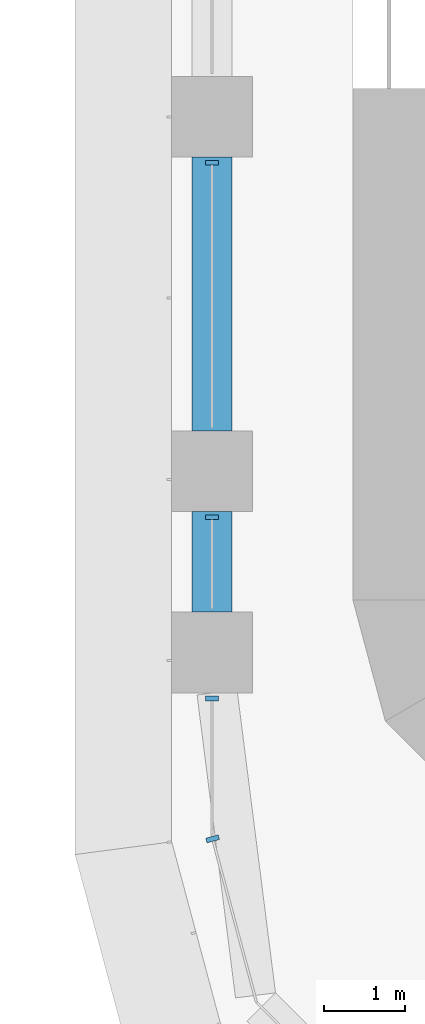
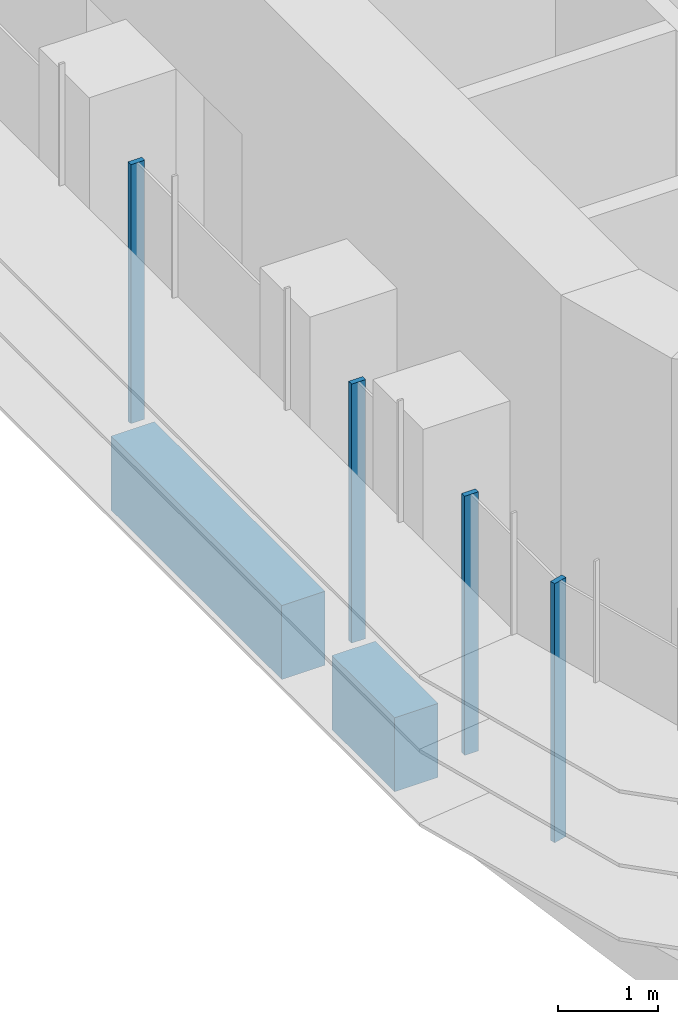
# One storey, part 2 of 23: 4 members, 2 beams, 2 elements without a shape of their own.
"""IFC4 building model written with IfcOpenShell, lengths in metres."""

import ifcopenshell
import ifcopenshell.guid

model = None  # the IFC model being written
_history = None  # IfcOwnerHistory: only IFC2X3 demands one
_inside = {}  # id of a spatial element -> (the spatial element, [elements in it])
_under = {}  # id of a project, library or spatial element -> (it, [spatial elements below it])
_declared = {}  # id of a project -> (the project, [libraries it declares])
_typed = {}  # id of a type object -> (the type object, [elements of that type])
_made_of = {}  # id of a material, layer set ... -> (it, [elements and type objects made of it])


def new_model(schema):
    """Start an empty IFC model of exactly this schema.

    Asked for "IFC4X3", IfcOpenShell would pick the latest addendum, in which some entities
    have other attributes; the version numbers below select the first issue.
    IFC2X3 requires an IfcOwnerHistory on every rooted entity: one is made here for all.
    """
    global model, _history
    if schema == "IFC4X3":
        model = ifcopenshell.file(schema_version=(4, 3, 0, 0))
    else:
        model = ifcopenshell.file(schema=schema)
    _inside.clear()
    _under.clear()
    _declared.clear()
    _typed.clear()
    _made_of.clear()
    _history = None
    if model.schema == "IFC2X3":
        org = make("IfcOrganization", Name="unknown")
        user = make(
            "IfcPersonAndOrganization",
            ThePerson=make("IfcPerson", FamilyName="unknown"),
            TheOrganization=org,
        )
        app = make(
            "IfcApplication",
            ApplicationDeveloper=org,
            Version="unknown",
            ApplicationFullName="unknown",
            ApplicationIdentifier="unknown",
        )
        _history = make(
            "IfcOwnerHistory",
            OwningUser=user,
            OwningApplication=app,
            ChangeAction="ADDED",
            CreationDate=0,
        )
    return model


def make(cls, **values):
    """One entity of the class cls with the attributes given. An attribute that is None is left unset."""
    return model.create_entity(
        cls, **{name: value for name, value in values.items() if value is not None}
    )


def rooted(cls, **values):
    """An entity with a GlobalId (a new one), such as an element, a storey or a relation."""
    return make(cls, GlobalId=ifcopenshell.guid.new(), OwnerHistory=_history, **values)


def si_unit(unit_type, name, prefix=None):
    """IfcSIUnit, for example si_unit("LENGTHUNIT", "METRE", prefix="MILLI")."""
    return make("IfcSIUnit", UnitType=unit_type, Prefix=prefix, Name=name)


def assignment(units):
    """IfcUnitAssignment: the units of a project."""
    return None if units is None else make("IfcUnitAssignment", Units=units)


def point(xyz):
    """IfcCartesianPoint."""
    return None if xyz is None else make("IfcCartesianPoint", Coordinates=xyz)


def direction(xyz):
    """IfcDirection."""
    return None if xyz is None else make("IfcDirection", DirectionRatios=xyz)


def frame(location, z_axis=None, x_axis=None):
    """IfcAxis2Placement3D, a coordinate frame: its origin and axes. An axis left out is left unset."""
    return make(
        "IfcAxis2Placement3D",
        Location=point(location),
        Axis=direction(z_axis),
        RefDirection=direction(x_axis),
    )


def frame_2d(location, x_axis=None):
    """IfcAxis2Placement2D, a coordinate frame in the plane: its origin and x axis."""
    return make(
        "IfcAxis2Placement2D", Location=point(location), RefDirection=direction(x_axis)
    )


def origin():
    """The frame at (0, 0, 0) with its axes left unset."""
    return frame((0.0, 0.0, 0.0))


def origin_2d():
    """The frame at (0, 0) in the plane with its x axis left unset."""
    return frame_2d((0.0, 0.0))


def place(relative_to, where):
    """IfcLocalPlacement: puts the frame where relative to a parent placement (None: the world)."""
    return make(
        "IfcLocalPlacement", PlacementRelTo=relative_to, RelativePlacement=where
    )


def context(
    kind, dimensions, precision=None, world=None, true_north=None, identifier=None
):
    """IfcGeometricRepresentationContext, for example the 3D "Model" context."""
    return make(
        "IfcGeometricRepresentationContext",
        ContextIdentifier=identifier,
        ContextType=kind,
        CoordinateSpaceDimension=dimensions,
        Precision=precision,
        WorldCoordinateSystem=world,
        TrueNorth=true_north,
    )


def subcontext(parent, identifier, kind, view, scale=None):
    """IfcGeometricRepresentationSubContext, for example "Body" below "Model"."""
    return make(
        "IfcGeometricRepresentationSubContext",
        ContextIdentifier=identifier,
        ContextType=kind,
        ParentContext=parent,
        TargetScale=scale,
        TargetView=view,
    )


def project(units=None, contexts=None):
    """IfcProject with its units and contexts."""
    return rooted(
        "IfcProject",
        Name="project",
        RepresentationContexts=contexts,
        UnitsInContext=assignment(units),
    )


def spatial(cls, under=None, at=None, **own):
    """A site, building, storey or space (cls), placed at a placement, below another one or the project."""
    s = rooted(cls, ObjectPlacement=at, **own)
    if under is not None:
        _under.setdefault(under.id(), (under, []))[1].append(s)
    return s


def polyline(points):
    """IfcPolyline through the points."""
    return make("IfcPolyline", Points=[point(p) for p in points])


def profile(cls, at=None, kind="AREA", **sizes):
    """A parametric profile (cls). Its sizes go by their IFC names, for example OverallWidth=200.0."""
    return make(cls, ProfileType=kind, Position=at, **sizes)


def rectangle(**sizes):
    """IfcRectangleProfileDef."""
    return profile("IfcRectangleProfileDef", **sizes)


def outline(outer, holes=None, kind="AREA"):
    """IfcArbitraryClosedProfileDef: a profile drawn as a closed curve; with holes, ...WithVoids."""
    if holes is None:
        return make("IfcArbitraryClosedProfileDef", ProfileType=kind, OuterCurve=outer)
    return make(
        "IfcArbitraryProfileDefWithVoids",
        ProfileType=kind,
        OuterCurve=outer,
        InnerCurves=holes,
    )


def extrude(swept, where, along, depth):
    """IfcExtrudedAreaSolid: the profile swept, set in the frame where, extruded along a direction by depth."""
    return make(
        "IfcExtrudedAreaSolid",
        SweptArea=swept,
        Position=where,
        ExtrudedDirection=direction(along),
        Depth=depth,
    )


def shape(context_of_items, identifier, shape_type, items):
    """IfcShapeRepresentation: the items that make up one representation, for example the "Body"."""
    return make(
        "IfcShapeRepresentation",
        ContextOfItems=context_of_items,
        RepresentationIdentifier=identifier,
        RepresentationType=shape_type,
        Items=items,
    )


def source(mapping_origin, context_of_items, identifier, shape_type, items):
    """IfcRepresentationMap: a shape defined once, which mapped items show again and again."""
    return make(
        "IfcRepresentationMap",
        MappingOrigin=mapping_origin,
        MappedRepresentation=shape(context_of_items, identifier, shape_type, items),
    )


def transform(
    local_origin,
    x_axis=None,
    y_axis=None,
    z_axis=None,
    scale=None,
    scale2=None,
    scale3=None,
    uniform=True,
):
    """IfcCartesianTransformationOperator3D, or its non-uniform kind. x_axis, y_axis, z_axis: its Axis1, 2, 3."""
    if uniform:
        return make(
            "IfcCartesianTransformationOperator3D",
            Axis1=direction(x_axis),
            Axis2=direction(y_axis),
            LocalOrigin=point(local_origin),
            Scale=scale,
            Axis3=direction(z_axis),
        )
    return make(
        "IfcCartesianTransformationOperator3DnonUniform",
        Axis1=direction(x_axis),
        Axis2=direction(y_axis),
        LocalOrigin=point(local_origin),
        Scale=scale,
        Axis3=direction(z_axis),
        Scale2=scale2,
        Scale3=scale3,
    )


def mapped(mapping_source, mapping_target):
    """IfcMappedItem: shows the shape of a source again, moved by a transform."""
    return make(
        "IfcMappedItem", MappingSource=mapping_source, MappingTarget=mapping_target
    )


def material(Name=None, Category=None):
    """IfcMaterial."""
    return make("IfcMaterial", Name=Name, Category=Category)


def material_profile(
    of_material, cross_section, Name=None, Category=None, Priority=None
):
    """IfcMaterialProfile: a cross section and its material."""
    return make(
        "IfcMaterialProfile",
        Name=Name,
        Material=of_material,
        Profile=cross_section,
        Priority=Priority,
        Category=Category,
    )


def profile_set(profiles, Name=None, composite=None):
    """IfcMaterialProfileSet."""
    return make(
        "IfcMaterialProfileSet",
        Name=Name,
        MaterialProfiles=profiles,
        CompositeProfile=composite,
    )


def made_of(thing, what):
    """Note that an element or type object is made of a material, layer set ...; save() writes the relation."""
    if what is not None:
        _made_of.setdefault(what.id(), (what, []))[1].append(thing)
    return thing


def type_object(cls, material=None, **own):
    """A type object (cls), such as IfcWallType, which elements share."""
    return made_of(rooted(cls, **own), material)


def element(
    cls,
    number,
    at=None,
    inside=None,
    cuts=None,
    type_object=None,
    material=None,
    context=None,
    identifier="Body",
    shape_type=None,
    held_by="IfcProductDefinitionShape",
    body=None,
    shapes=None,
    **own,
):
    """One element of the class cls, such as IfcWall. Its Tag is "e" and its number.

    at: its placement. inside: the storey or other place that contains it. cuts: it is an
    opening in that element (IfcRelVoidsElement). A single representation is given by context,
    identifier, shape_type and body (its items); several are given by shapes. held_by: the class
    of the entity that holds the representations. save() writes the other relations.
    """
    e = rooted(cls, Tag="e%d" % number, ObjectPlacement=at, **own)
    if body is not None:
        shapes = [shape(context, identifier, shape_type, body)]
    if shapes is not None:
        e.Representation = make(held_by, Representations=shapes)
    if inside is not None:
        _inside.setdefault(inside.id(), (inside, []))[1].append(e)
    if cuts is not None:
        rooted(
            "IfcRelVoidsElement", RelatingBuildingElement=cuts, RelatedOpeningElement=e
        )
    if type_object is not None:
        _typed.setdefault(type_object.id(), (type_object, []))[1].append(e)
    return made_of(e, material)


def aggregate(whole, parts):
    """IfcRelAggregates: a whole, such as a stair, and the parts it consists of."""
    return rooted("IfcRelAggregates", RelatingObject=whole, RelatedObjects=parts)


def save(model, path):
    """Write the relations noted so far, then the file.

    IfcRelAggregates (storeys below a building ...), IfcRelContainedInSpatialStructure (elements
    in a storey), IfcRelDefinesByType, IfcRelAssociatesMaterial and IfcRelDeclares: one each for
    every whole, place, type object, material and project.
    """
    for whole, parts in _under.values():
        aggregate(whole, parts)
    for where, things in _inside.values():
        rooted(
            "IfcRelContainedInSpatialStructure",
            RelatedElements=things,
            RelatingStructure=where,
        )
    for kind, things in _typed.values():
        rooted("IfcRelDefinesByType", RelatedObjects=things, RelatingType=kind)
    for what, things in _made_of.values():
        rooted("IfcRelAssociatesMaterial", RelatedObjects=things, RelatingMaterial=what)
    for by, libraries in _declared.values():
        rooted("IfcRelDeclares", RelatingContext=by, RelatedDefinitions=libraries)
    model.write(path)


model = new_model("IFC4")

# Units and contexts
model_context = context("Model", 3, precision=1e-05, world=origin(), true_north=direction((0.0, 1.0)))
body_context = subcontext(model_context, "Body", "Model", "MODEL_VIEW")
ifc_project = project(units=[si_unit("LENGTHUNIT", "METRE"), si_unit("AREAUNIT", "SQUARE_METRE"), si_unit("VOLUMEUNIT", "CUBIC_METRE"), si_unit("PLANEANGLEUNIT", "RADIAN"), si_unit("MASSUNIT", "GRAM", prefix="KILO")], contexts=[model_context])

# Site, building, storey
site_placement = place(None, origin())
site = spatial("IfcSite", under=ifc_project, at=site_placement, CompositionType="ELEMENT")
building_placement = place(site_placement, origin())
building = spatial("IfcBuilding", under=site, at=building_placement, Name="Zarbagh Exchange Tower", CompositionType="ELEMENT")
storey_placement = place(building_placement, frame((0.0, 0.0, 73.199951171875)))
storey = spatial("IfcBuildingStorey", under=building, at=storey_placement, Name="L16", CompositionType="ELEMENT", Elevation=73.199951171875)

# Beams
ifc_material_1 = material(Name="Concrete C60/75", Category="concrete")
ifc_material_profile = material_profile(ifc_material_1, rectangle(XDim=0.5, YDim=0.89990234375, at=origin_2d()), Name="RC spandrel beam 500 x 900 C60/75")
ifc_profile_set = profile_set([ifc_material_profile], Name="Concrete C60/75")
beam_type = type_object("IfcBeamType", Name="RC spandrel beam 500 x 900 C60/75", PredefinedType="SPANDREL", material=ifc_profile_set)
beam_1_placement = place(storey_placement, frame((-6.25, -26.39990234375, -0.599853515625), z_axis=(0.0, 1.0, 0.0), x_axis=(-1.0, 0.0, 0.0)))
element("IfcBeam", 1, at=beam_1_placement, inside=storey, type_object=beam_type, Name="RC spandrel beam", PredefinedType="SPANDREL", context=body_context, shape_type="SweptSolid", body=[
    extrude(rectangle(XDim=0.5, YDim=0.89990234375, at=origin_2d()), origin(), (0.0, 0.0, 1.0), 1.25),
])
beam_2_placement = place(storey_placement, frame((-6.25, -24.14990234375, -0.599853515625), z_axis=(0.0, 1.0, 0.0), x_axis=(-1.0, 0.0, 0.0)))
element("IfcBeam", 2, at=beam_2_placement, inside=storey, type_object=beam_type, Name="RC spandrel beam", PredefinedType="SPANDREL", context=body_context, shape_type="SweptSolid", body=[
    extrude(rectangle(XDim=0.5, YDim=0.89990234375, at=origin_2d()), origin(), (0.0, 0.0, 1.0), 3.39990234375),
])

# Curtain wall, members
ifc_material_2 = material(Name="Anodised aluminium frame and glazing", Category="aluminium")
curtain_wall_type = type_object("IfcCurtainWallType", Name="CWA Ribbon glazing, lower zones", PredefinedType="NOTDEFINED", material=ifc_material_2)
curtain_wall_1_placement = place(storey_placement, origin())
curtain_wall_1 = element("IfcCurtainWall", 3, at=curtain_wall_1_placement, inside=storey, type_object=curtain_wall_type, Name="CWA44 curtain wall", PredefinedType="NOTDEFINED")
ifc_material_3 = material(Name="Anodised aluminium frame", Category="aluminium")
member_type = type_object("IfcMemberType", Name="MUA Mullion, anodised aluminium frame", PredefinedType="MULLION", material=ifc_material_3)
shared_shape = source(origin(), body_context, "Body", "SweptSolid", [
    extrude(outline(polyline([(0.0, -0.080078125), (0.06005859375, -0.080078125), (0.06005859375, 0.080078125), (0.0, 0.080078125), (0.0, -0.080078125)])), origin(), (0.0, 0.0, 1.0), 3.14990234375),
])
placement = place(storey_placement, origin())
member_1 = element("IfcMember", 4, at=placement, type_object=member_type, Name="CWA44 mullion 3.1", PredefinedType="MULLION", context=body_context, shape_type="MappedRepresentation", body=[
    mapped(shared_shape, transform((-6.25, -20.7900390625, 0.0), x_axis=(0.0, -1.0, 0.0), y_axis=(1.0, 0.0, 0.0), z_axis=(0.0, 0.0, 1.0))),
])
member_2 = element("IfcMember", 5, at=placement, type_object=member_type, Name="CWA44 mullion 4.1", PredefinedType="MULLION", context=body_context, shape_type="MappedRepresentation", body=[
    mapped(shared_shape, transform((-6.25, -25.18994140625, 0.0), x_axis=(0.0, -1.0, 0.0), y_axis=(1.0, 0.0, 0.0), z_axis=(0.0, 0.0, 1.0))),
])
member_3 = element("IfcMember", 6, at=placement, type_object=member_type, Name="CWA44 mullion 5.1", PredefinedType="MULLION", context=body_context, shape_type="MappedRepresentation", body=[
    mapped(shared_shape, transform((-6.25, -27.43994140625, 0.0), x_axis=(0.0, -1.0, 0.0), y_axis=(1.0, 0.0, 0.0), z_axis=(0.0, 0.0, 1.0))),
])
aggregate(curtain_wall_1, [member_1, member_2, member_3])

# Curtain wall, member
curtain_wall_2_placement = place(storey_placement, origin())
curtain_wall_2 = element("IfcCurtainWall", 7, at=curtain_wall_2_placement, inside=storey, type_object=curtain_wall_type, Name="CWA45 curtain wall", PredefinedType="NOTDEFINED")
member_4 = element("IfcMember", 8, at=placement, type_object=member_type, Name="CWA45 mullion 1.1", PredefinedType="MULLION", context=body_context, shape_type="MappedRepresentation", body=[
    mapped(shared_shape, transform((-6.25, -29.18408203125, 0.0), x_axis=(0.258824779902, -0.965924289636, 0.0), y_axis=(0.965924289636, 0.258824779902, 0.0), z_axis=(0.0, 0.0, 1.0))),
])
aggregate(curtain_wall_2, [member_4])

save(model, "model.ifc")
